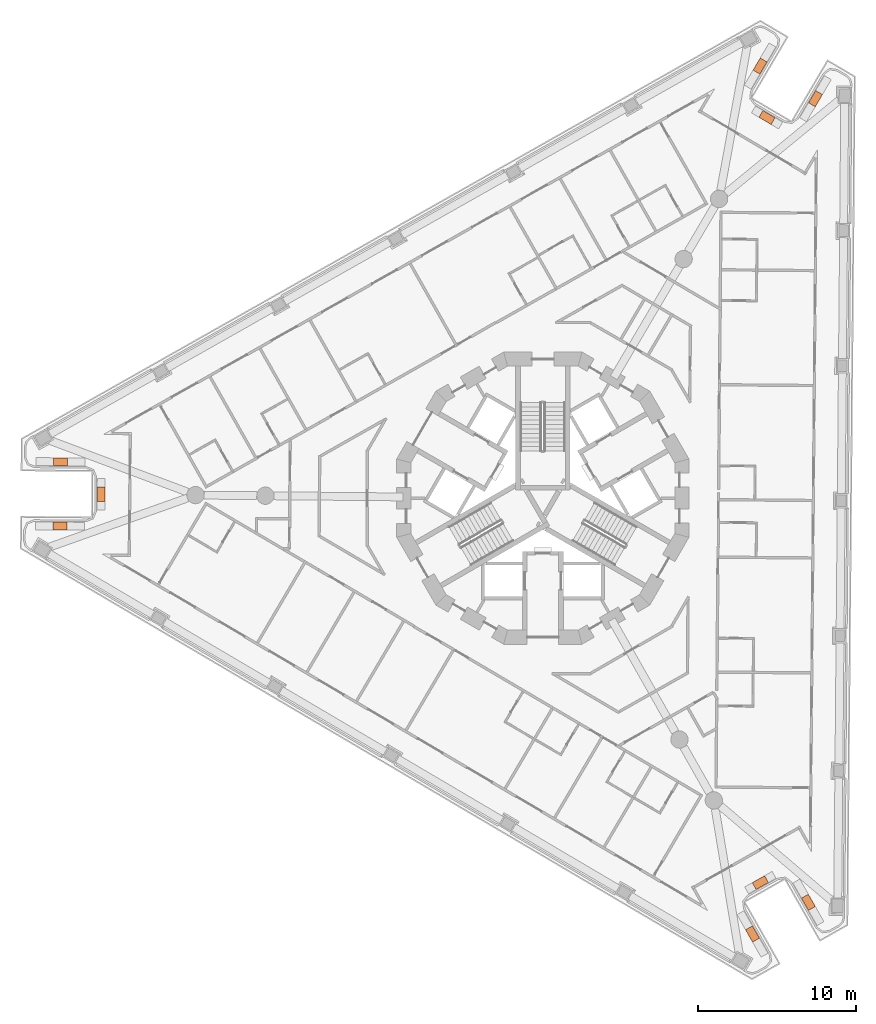
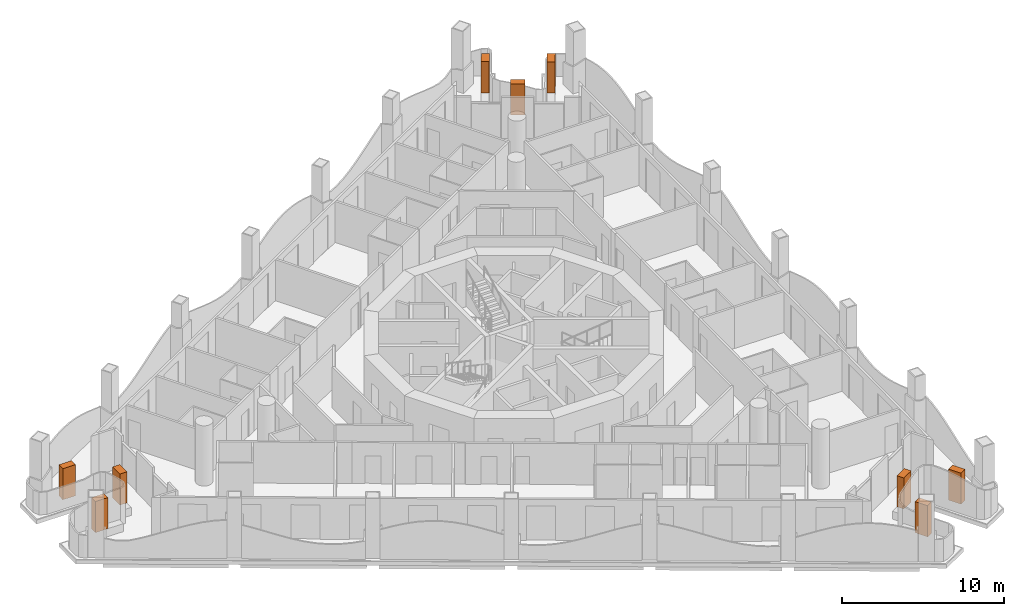
# One storey, part 17 of 17: 9 geographic elements.
"""IFC4 building model written with IfcOpenShell, lengths in metres."""

from ifc_helpers import new_model, si_unit, direction, frame, origin, origin_2d, place, context, subcontext, project, spatial, rectangle, extrude, element, save


model = new_model("IFC4")

# Units and contexts
model_context = context("Model", 3, precision=1e-05, world=origin(), true_north=direction((0.0, 1.0)))
body_context = subcontext(model_context, "Body", "Model", "MODEL_VIEW")
ifc_project = project(units=[si_unit("LENGTHUNIT", "METRE"), si_unit("AREAUNIT", "SQUARE_METRE"), si_unit("VOLUMEUNIT", "CUBIC_METRE"), si_unit("PLANEANGLEUNIT", "RADIAN"), si_unit("MASSUNIT", "GRAM", prefix="KILO")], contexts=[model_context])

# Site, building, storey
site_placement = place(None, origin())
site = spatial("IfcSite", under=ifc_project, at=site_placement, CompositionType="ELEMENT")
building_placement = place(site_placement, origin())
building = spatial("IfcBuilding", under=site, at=building_placement, Name="Trine Commons Tower", CompositionType="ELEMENT")
storey_placement = place(building_placement, frame((0.0, 0.0, 189.89990234375)))
storey = spatial("IfcBuildingStorey", under=building, at=storey_placement, Name="L49", CompositionType="ELEMENT", Elevation=189.89990234375)

# Geographic elements
for number, where, z_axis, x_axis, name in (
    (1, (49.3583984375, 60.727294921875, 0.60009765625), (0.0, 0.0, 1.0), (0.999961923064, -0.008726535498, 0.0), "Tree 1.1"),
    (2, (51.966064453125, 62.74462890625, 0.60009765625), (0.0, 0.0, 1.0), (0.008726535498, 0.999961923064, 0.0), "Tree 2.1"),
    (3, (49.393798828125, 64.80712890625, 0.60009765625), (0.0, 0.0, 1.0), (-0.999961923064, 0.008726535498, 0.0), "Tree 3.1"),
    (4, (93.78564453125, 89.9228515625, 0.60009765625), (0.0, 0.0, 1.0), (-0.507539866787, -0.861628274619, 0.0), "Tree 4.1"),
    (5, (94.228759765625, 86.65576171875, 0.60009765625), (0.0, 0.0, 1.0), (0.861628274619, -0.507539866787, 0.0), "Tree 5.1"),
    (6, (97.301025390625, 87.85205078125, 0.60009765625), (0.0, 0.0, 1.0), (0.507539866787, 0.861628274619, 0.0), "Tree 6.1"),
    (7, (96.85595703125, 36.849853515625, 0.60009765625), (0.0, 0.0, 1.0), (-0.492420521986, 0.870357414817, 0.0), "Tree 7.1"),
    (8, (93.80517578125, 38.099609375, 0.60009765625), (0.0, 0.0, 1.0), (-0.870333349571, -0.492463055085, 0.0), "Tree 8.1"),
    (9, (93.304931640625, 34.8408203125, 0.60009765625), (0.0, 0.0, 1.0), (0.492420521986, -0.870357414817, 0.0), "Tree 9.1"),
):
    element("IfcGeographicElement", number, at=place(storey_placement, frame(where, z_axis=z_axis, x_axis=x_axis)), inside=storey, Name=name, ObjectType="TREE Tabebuia rosea", PredefinedType="USERDEFINED", context=body_context, shape_type="SweptSolid", body=[
        extrude(rectangle(XDim=0.89990234375, YDim=0.5, at=origin_2d()), origin(), (0.0, 0.0, 1.0), 2.35009765625),
    ])

save(model, "model.ifc")
